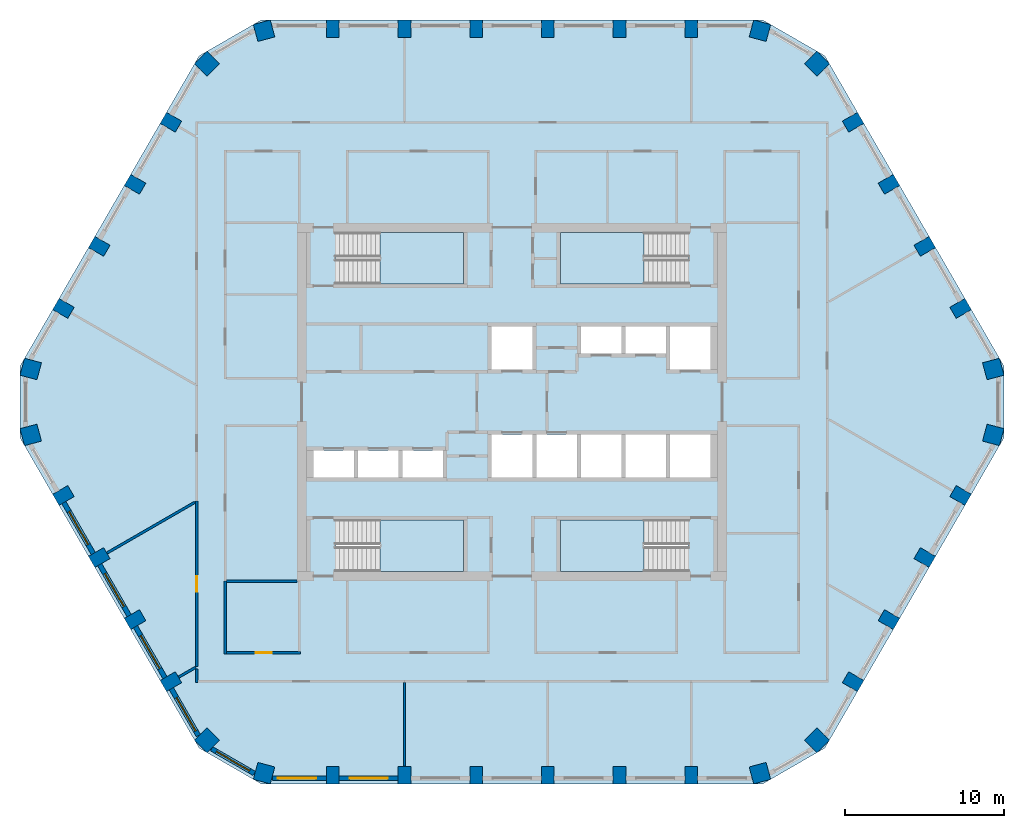
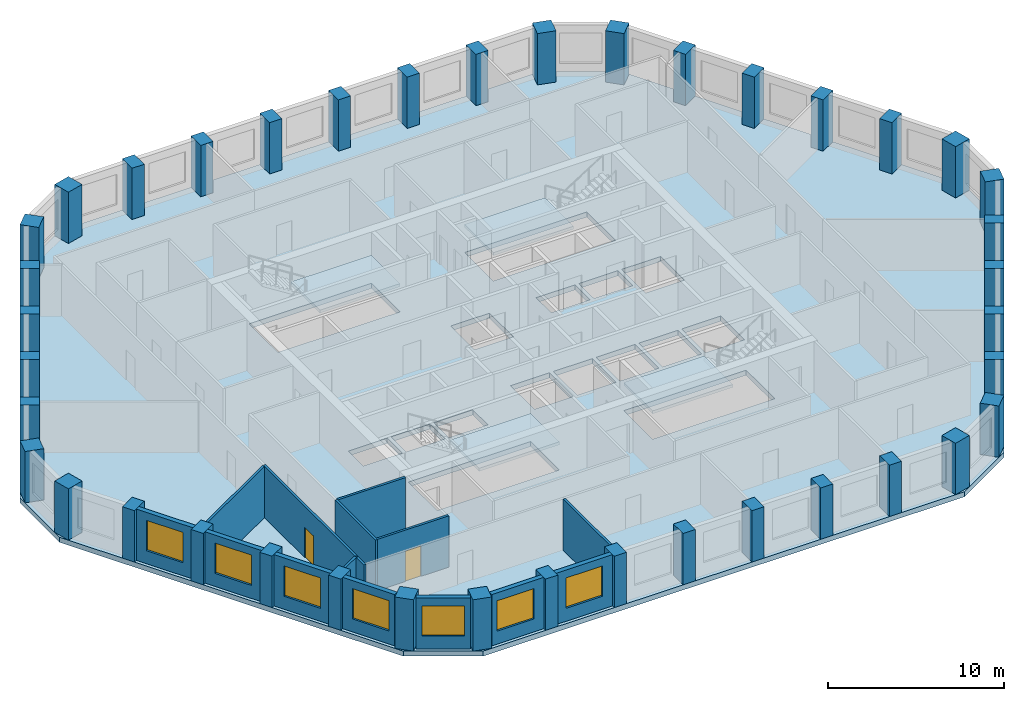
# One storey, part 1 of 9: 40 columns, 15 walls, 7 windows, 5 slabs, 2 doors, 9 openings, 4 elements without a shape of their own.
"""IFC4 building model written with IfcOpenShell, lengths in metres."""

from ifc_helpers import new_model, si_unit, direction, frame, frame_2d, origin, origin_2d, place, context, subcontext, project, spatial, polyline, rectangle, outline, extrude, material, layer, layer_set, material_profile, profile_set, type_object, element, fill, aggregate, save


model = new_model("IFC4")

# Units and contexts
model_context = context("Model", 3, precision=1e-05, world=origin(), true_north=direction((0.0, 1.0)))
body_context = subcontext(model_context, "Body", "Model", "MODEL_VIEW")
ifc_project = project(units=[si_unit("LENGTHUNIT", "METRE"), si_unit("AREAUNIT", "SQUARE_METRE"), si_unit("VOLUMEUNIT", "CUBIC_METRE"), si_unit("PLANEANGLEUNIT", "RADIAN"), si_unit("MASSUNIT", "GRAM", prefix="KILO")], contexts=[model_context])

# Site, building, storey
site_placement = place(None, origin())
site = spatial("IfcSite", under=ifc_project, at=site_placement, CompositionType="ELEMENT")
building_placement = place(site_placement, origin())
building = spatial("IfcBuilding", under=site, at=building_placement, Name="Dhurran Vertical Campus", CompositionType="ELEMENT")
storey_placement = place(building_placement, frame((0.0, 0.0, 199.5)))
storey = spatial("IfcBuildingStorey", under=building, at=storey_placement, Name="L49", CompositionType="ELEMENT", Elevation=199.5)

# Columns
ifc_material_1 = material(Name="Concrete C50/60", Category="concrete")
ifc_material_profile_1 = material_profile(ifc_material_1, rectangle(XDim=1.10009765625, YDim=1.10009765625, at=origin_2d()), Name="RC 1100x1100")
ifc_profile_set_1 = profile_set([ifc_material_profile_1], Name="Concrete C50/60")
column_type_1 = type_object("IfcColumnType", Name="FR COL RC 1100x1100 C50/60", PredefinedType="COLUMN", material=ifc_profile_set_1)
for number, where, z_axis, x_axis, name in (
    (1, (-15.569580078125, -23.31201171875, 0.0), (0.0, 0.0, 1.0), (0.965925826289, -0.258819045103, 0.0), "Perimeter pier PP4.00"),
    (2, (15.569580078125, -23.31201171875, 0.0), (0.0, 0.0, 1.0), (0.965925826289, 0.258819045103, 0.0), "Perimeter pier PP4.07"),
    (3, (19.154052734375, -21.242431640625, 0.0), (0.0, 0.0, 1.0), (0.707106781187, 0.707106781187, 0.0), "Perimeter pier PP4.08"),
    (4, (30.223388671875, -2.069580078125, 0.0), (0.0, 0.0, 1.0), (0.258819045103, 0.965925826289, 0.0), "Perimeter pier PP4.13"),
    (5, (30.223388671875, 2.069580078125, 0.0), (0.0, 0.0, 1.0), (-0.258819045103, 0.965925826289, 0.0), "Perimeter pier PP4.14"),
    (6, (19.154052734375, 21.242431640625, 0.0), (0.0, 0.0, 1.0), (-0.707106781187, 0.707106781187, 0.0), "Perimeter pier PP4.19"),
    (7, (15.569580078125, 23.31201171875, 0.0), (0.0, 0.0, 1.0), (-0.965925826289, 0.258819045103, 0.0), "Perimeter pier PP4.20"),
    (8, (-15.569580078125, 23.31201171875, 0.0), (0.0, 0.0, 1.0), (-0.965925826289, -0.258819045103, 0.0), "Perimeter pier PP4.27"),
    (9, (-19.154052734375, 21.242431640625, 0.0), (0.0, 0.0, 1.0), (-0.707106781187, -0.707106781187, 0.0), "Perimeter pier PP4.28"),
    (10, (-30.223388671875, 2.069580078125, 0.0), (0.0, 0.0, 1.0), (-0.258819045103, -0.965925826289, 0.0), "Perimeter pier PP4.33"),
    (11, (-30.223388671875, -2.069580078125, 0.0), (0.0, 0.0, 1.0), (0.258819045103, -0.965925826289, 0.0), "Perimeter pier PP4.34"),
    (12, (-19.154052734375, -21.242431640625, 0.0), (0.0, 0.0, 1.0), (0.707106781187, -0.707106781187, 0.0), "Perimeter pier PP4.39"),
):
    element("IfcColumn", number, at=place(storey_placement, frame(where, z_axis=z_axis, x_axis=x_axis)), inside=storey, type_object=column_type_1, Name=name, PredefinedType="COLUMN", context=body_context, shape_type="SweptSolid", body=[
        extrude(rectangle(XDim=1.10009765625, YDim=1.10009765625, at=origin_2d()), origin(), (0.0, 0.0, 1.0), 3.550048828125),
    ])
ifc_material_2 = material(Name="Concrete C50/60", Category="concrete")
ifc_material_profile_2 = material_profile(ifc_material_2, rectangle(XDim=0.800048828125, YDim=1.10009765625, at=origin_2d()), Name="RC 800x1100")
ifc_profile_set_2 = profile_set([ifc_material_profile_2], Name="Concrete C50/60")
column_type_2 = type_object("IfcColumnType", Name="FR COL RC 800x1100 C50/60", PredefinedType="COLUMN", material=ifc_profile_set_2)
for number, where, z_axis, x_axis, name in (
    (13, (-11.25, -23.435546875, 0.0), (0.0, 0.0, 1.0), (1.0, 0.0, 0.0), "Perimeter pier PP4.01"),
    (14, (-6.75, -23.435546875, 0.0), (0.0, 0.0, 1.0), (1.0, 0.0, 0.0), "Perimeter pier PP4.02"),
    (15, (-2.25, -23.435546875, 0.0), (0.0, 0.0, 1.0), (1.0, 0.0, 0.0), "Perimeter pier PP4.03"),
    (16, (2.25, -23.435546875, 0.0), (0.0, 0.0, 1.0), (1.0, 0.0, 0.0), "Perimeter pier PP4.04"),
    (17, (6.75, -23.435546875, 0.0), (0.0, 0.0, 1.0), (1.0, 0.0, 0.0), "Perimeter pier PP4.05"),
    (18, (11.25, -23.435546875, 0.0), (0.0, 0.0, 1.0), (1.0, 0.0, 0.0), "Perimeter pier PP4.06"),
    (19, (21.4208984375, -17.5634765625, 0.0), (0.0, 0.0, 1.0), (0.5, 0.866025403784, 0.0), "Perimeter pier PP4.09"),
    (20, (23.6708984375, -13.666259765625, 0.0), (0.0, 0.0, 1.0), (0.5, 0.866025403784, 0.0), "Perimeter pier PP4.10"),
    (21, (25.9208984375, -9.769287109375, 0.0), (0.0, 0.0, 1.0), (0.5, 0.866025403784, 0.0), "Perimeter pier PP4.11"),
    (22, (28.1708984375, -5.8720703125, 0.0), (0.0, 0.0, 1.0), (0.5, 0.866025403784, 0.0), "Perimeter pier PP4.12"),
    (23, (28.1708984375, 5.8720703125, 0.0), (0.0, 0.0, 1.0), (-0.5, 0.866025403784, 0.0), "Perimeter pier PP4.15"),
    (24, (25.9208984375, 9.769287109375, 0.0), (0.0, 0.0, 1.0), (-0.5, 0.866025403784, 0.0), "Perimeter pier PP4.16"),
    (25, (23.6708984375, 13.666259765625, 0.0), (0.0, 0.0, 1.0), (-0.5, 0.866025403784, 0.0), "Perimeter pier PP4.17"),
    (26, (21.4208984375, 17.5634765625, 0.0), (0.0, 0.0, 1.0), (-0.5, 0.866025403784, 0.0), "Perimeter pier PP4.18"),
    (27, (11.25, 23.435546875, 0.0), (0.0, 0.0, 1.0), (-1.0, 0.0, 0.0), "Perimeter pier PP4.21"),
    (28, (6.75, 23.435546875, 0.0), (0.0, 0.0, 1.0), (-1.0, 0.0, 0.0), "Perimeter pier PP4.22"),
    (29, (2.25, 23.435546875, 0.0), (0.0, 0.0, 1.0), (-1.0, 0.0, 0.0), "Perimeter pier PP4.23"),
    (30, (-2.25, 23.435546875, 0.0), (0.0, 0.0, 1.0), (-1.0, 0.0, 0.0), "Perimeter pier PP4.24"),
    (31, (-6.75, 23.435546875, 0.0), (0.0, 0.0, 1.0), (-1.0, 0.0, 0.0), "Perimeter pier PP4.25"),
    (32, (-11.25, 23.435546875, 0.0), (0.0, 0.0, 1.0), (-1.0, 0.0, 0.0), "Perimeter pier PP4.26"),
    (33, (-21.4208984375, 17.5634765625, 0.0), (0.0, 0.0, 1.0), (-0.5, -0.866025403784, 0.0), "Perimeter pier PP4.29"),
    (34, (-23.6708984375, 13.666259765625, 0.0), (0.0, 0.0, 1.0), (-0.5, -0.866025403784, 0.0), "Perimeter pier PP4.30"),
    (35, (-25.9208984375, 9.769287109375, 0.0), (0.0, 0.0, 1.0), (-0.5, -0.866025403784, 0.0), "Perimeter pier PP4.31"),
    (36, (-28.1708984375, 5.8720703125, 0.0), (0.0, 0.0, 1.0), (-0.5, -0.866025403784, 0.0), "Perimeter pier PP4.32"),
    (37, (-28.1708984375, -5.8720703125, 0.0), (0.0, 0.0, 1.0), (0.5, -0.866025403784, 0.0), "Perimeter pier PP4.35"),
    (38, (-25.9208984375, -9.769287109375, 0.0), (0.0, 0.0, 1.0), (0.5, -0.866025403784, 0.0), "Perimeter pier PP4.36"),
    (39, (-23.6708984375, -13.666259765625, 0.0), (0.0, 0.0, 1.0), (0.5, -0.866025403784, 0.0), "Perimeter pier PP4.37"),
    (40, (-21.4208984375, -17.5634765625, 0.0), (0.0, 0.0, 1.0), (0.5, -0.866025403784, 0.0), "Perimeter pier PP4.38"),
):
    element("IfcColumn", number, at=place(storey_placement, frame(where, z_axis=z_axis, x_axis=x_axis)), inside=storey, type_object=column_type_2, Name=name, PredefinedType="COLUMN", context=body_context, shape_type="SweptSolid", body=[
        extrude(rectangle(XDim=0.800048828125, YDim=1.10009765625, at=origin_2d()), origin(), (0.0, 0.0, 1.0), 3.550048828125),
    ])

# Slab
ifc_material_3 = material(Name="Concrete C40/50", Category="concrete")
ifc_layer_1 = layer(ifc_material_3, 0.35009765625)
ifc_layer_set_1 = layer_set([ifc_layer_1], Name="Concrete C40/50")
slab_type_1 = type_object("IfcSlabType", Name="FR POST-TENSIONED FLAT SLAB 350", PredefinedType="FLOOR", material=ifc_layer_set_1)
slab_1_placement = place(storey_placement, frame((0.0, 0.0, -0.35009765625)))
element("IfcSlab", 41, at=slab_1_placement, inside=storey, type_object=slab_type_1, Name="Floor slab L49", PredefinedType="FLOOR", context=body_context, shape_type="SweptSolid", body=[
    extrude(outline(polyline([(-15.75, -23.985595703125), (15.75, -23.985595703125), (19.647216796875, -21.735595703125), (30.897216796875, -2.25), (30.897216796875, 2.25), (19.647216796875, 21.735595703125), (15.75, 23.985595703125), (-15.75, 23.985595703125), (-19.647216796875, 21.735595703125), (-30.897216796875, 2.25), (-30.897216796875, -2.25), (-19.647216796875, -21.735595703125), (-15.75, -23.985595703125)]), holes=[polyline([(-1.27490234375, 2.050048828125), (1.27490234375, 2.050048828125), (1.27490234375, 4.75), (-1.27490234375, 4.75), (-1.27490234375, 2.050048828125)]), polyline([(9.925048828125, 2.050048828125), (12.47509765625, 2.050048828125), (12.47509765625, 4.75), (9.925048828125, 4.75), (9.925048828125, 2.050048828125)]), polyline([(-1.27490234375, -4.75), (1.27490234375, -4.75), (1.27490234375, -2.050048828125), (-1.27490234375, -2.050048828125), (-1.27490234375, -4.75)]), polyline([(1.52490234375, -4.75), (4.074951171875, -4.75), (4.074951171875, -2.050048828125), (1.52490234375, -2.050048828125), (1.52490234375, -4.75)]), polyline([(4.324951171875, -4.75), (6.875, -4.75), (6.875, -2.050048828125), (4.324951171875, -2.050048828125), (4.324951171875, -4.75)]), polyline([(7.125, -4.75), (9.675048828125, -4.75), (9.675048828125, -2.050048828125), (7.125, -2.050048828125), (7.125, -4.75)]), polyline([(9.925048828125, -4.75), (12.47509765625, -4.75), (12.47509765625, -2.050048828125), (9.925048828125, -2.050048828125), (9.925048828125, -4.75)]), polyline([(4.324951171875, 3.050048828125), (6.875, 3.050048828125), (6.875, 4.75), (4.324951171875, 4.75), (4.324951171875, 3.050048828125)]), polyline([(7.125, 3.050048828125), (9.675048828125, 3.050048828125), (9.675048828125, 4.75), (7.125, 4.75), (7.125, 3.050048828125)]), polyline([(-12.47509765625, -4.75), (-9.925048828125, -4.75), (-9.925048828125, -3.050048828125), (-12.47509765625, -3.050048828125), (-12.47509765625, -4.75)]), polyline([(-9.675048828125, -4.75), (-7.125, -4.75), (-7.125, -3.050048828125), (-9.675048828125, -3.050048828125), (-9.675048828125, -4.75)]), polyline([(-6.875, -4.75), (-4.324951171875, -4.75), (-4.324951171875, -3.050048828125), (-6.875, -3.050048828125), (-6.875, -4.75)]), polyline([(-11.050048828125, 7.39990234375), (-3.050048828125, 7.39990234375), (-3.050048828125, 10.64990234375), (-11.050048828125, 10.64990234375), (-11.050048828125, 7.39990234375)]), polyline([(3.050048828125, 7.39990234375), (11.050048828125, 7.39990234375), (11.050048828125, 10.64990234375), (3.050048828125, 10.64990234375), (3.050048828125, 7.39990234375)]), polyline([(-11.050048828125, -10.64990234375), (-3.050048828125, -10.64990234375), (-3.050048828125, -7.39990234375), (-11.050048828125, -7.39990234375), (-11.050048828125, -10.64990234375)]), polyline([(3.050048828125, -10.64990234375), (11.050048828125, -10.64990234375), (11.050048828125, -7.39990234375), (3.050048828125, -7.39990234375), (3.050048828125, -10.64990234375)])]), origin(), (0.0, 0.0, 1.0), 0.35009765625),
])

# Stair, slab
ifc_material_4 = material(Name="Concrete C40/50", Category="concrete")
stair_type = type_object("IfcStairType", Name="co-ST-CORE", PredefinedType="HALF_TURN_STAIR", material=ifc_material_4)
stair_1_placement = place(storey_placement, origin())
stair_1 = element("IfcStair", 42, at=stair_1_placement, inside=storey, type_object=stair_type, Name="L49 Protected exit stair ST1", PredefinedType="HALF_TURN_STAIR")
ifc_material_5 = material(Name="Concrete C40/50", Category="concrete")
ifc_layer_2 = layer(ifc_material_5, 0.199951171875)
ifc_layer_set_2 = layer_set([ifc_layer_2], Name="Concrete C40/50")
slab_type_2 = type_object("IfcSlabType", Name="co-SL-LANDING", PredefinedType="LANDING", material=ifc_layer_set_2)
slab_2_placement = place(storey_placement, frame((0.0, 0.0, 1.75)))
slab_2 = element("IfcSlab", 43, at=slab_2_placement, type_object=slab_type_2, Name="ST1 landing 1", PredefinedType="LANDING", context=body_context, shape_type="SweptSolid", body=[
    extrude(outline(polyline([(-8.300048828125, 7.39990234375), (-3.050048828125, 7.39990234375), (-3.050048828125, 10.64990234375), (-8.300048828125, 10.64990234375), (-8.300048828125, 7.39990234375)])), origin(), (0.0, 0.0, 1.0), 0.199951171875),
])
aggregate(stair_1, [slab_2])

stair_2_placement = place(storey_placement, origin())
stair_2 = element("IfcStair", 44, at=stair_2_placement, inside=storey, type_object=stair_type, Name="L49 Protected exit stair ST2", PredefinedType="HALF_TURN_STAIR")
slab_3_placement = place(storey_placement, frame((0.0, 0.0, 1.75)))
slab_3 = element("IfcSlab", 45, at=slab_3_placement, type_object=slab_type_2, Name="ST2 landing 1", PredefinedType="LANDING", context=body_context, shape_type="SweptSolid", body=[
    extrude(outline(polyline([(8.300048828125, 10.64990234375), (3.050048828125, 10.64990234375), (3.050048828125, 7.39990234375), (8.300048828125, 7.39990234375), (8.300048828125, 10.64990234375)])), origin(), (0.0, 0.0, 1.0), 0.199951171875),
])
aggregate(stair_2, [slab_3])

stair_3_placement = place(storey_placement, origin())
stair_3 = element("IfcStair", 46, at=stair_3_placement, inside=storey, type_object=stair_type, Name="L49 Protected exit stair ST3", PredefinedType="HALF_TURN_STAIR")
slab_4_placement = place(storey_placement, frame((0.0, 0.0, 1.75)))
slab_4 = element("IfcSlab", 47, at=slab_4_placement, type_object=slab_type_2, Name="ST3 landing 1", PredefinedType="LANDING", context=body_context, shape_type="SweptSolid", body=[
    extrude(outline(polyline([(-8.300048828125, -10.64990234375), (-3.050048828125, -10.64990234375), (-3.050048828125, -7.39990234375), (-8.300048828125, -7.39990234375), (-8.300048828125, -10.64990234375)])), origin(), (0.0, 0.0, 1.0), 0.199951171875),
])
aggregate(stair_3, [slab_4])

stair_4_placement = place(storey_placement, origin())
stair_4 = element("IfcStair", 48, at=stair_4_placement, inside=storey, type_object=stair_type, Name="L49 Protected exit stair ST4", PredefinedType="HALF_TURN_STAIR")
slab_5_placement = place(storey_placement, frame((0.0, 0.0, 1.75)))
slab_5 = element("IfcSlab", 49, at=slab_5_placement, type_object=slab_type_2, Name="ST4 landing 1", PredefinedType="LANDING", context=body_context, shape_type="SweptSolid", body=[
    extrude(outline(polyline([(8.300048828125, -7.39990234375), (3.050048828125, -7.39990234375), (3.050048828125, -10.64990234375), (8.300048828125, -10.64990234375), (8.300048828125, -7.39990234375)])), origin(), (0.0, 0.0, 1.0), 0.199951171875),
])
aggregate(stair_4, [slab_5])

# Wall, opening, window
ifc_material_6 = material(Name="Precast concrete C50/60", Category="concrete")
ifc_layer_3 = layer(ifc_material_6, 0.300048828125)
ifc_layer_set_3 = layer_set([ifc_layer_3], Name="Precast concrete C50/60")
wall_type_1 = type_object("IfcWallType", Name="Precast spandrel wall 300", PredefinedType="SOLIDWALL", material=ifc_layer_set_3)
wall_1_placement = place(storey_placement, frame((-15.04638671875, -23.635498046875, 0.0), z_axis=(0.0, 0.0, 1.0), x_axis=(1.0, 0.0, 0.0)))
wall_1 = element("IfcWall", 50, at=wall_1_placement, inside=storey, type_object=wall_type_1, Name="EW1 L49.00", PredefinedType="SOLIDWALL", context=body_context, shape_type="SweptSolid", body=[
    extrude(rectangle(XDim=3.39599609375, YDim=0.300048828125, at=frame_2d((1.697998046875, 0.0))), origin(), (0.0, 0.0, 1.0), 3.550048828125),
])
opening_1_placement = place(wall_1_placement, frame((0.34619140625, 0.0, 0.89990234375)))
opening_1 = element("IfcOpeningElement", 51, at=opening_1_placement, cuts=wall_1, Name="Opening WT1", PredefinedType="OPENING", context=body_context, shape_type="SweptSolid", body=[
    extrude(rectangle(XDim=2.39990234375, YDim=2.10009765625, at=frame_2d((1.199951171875, 1.050048828125))), frame((0.0, 0.159912109375, 0.0), z_axis=(0.0, -1.0, 0.0), x_axis=(1.0, 0.0, 0.0)), (0.0, 0.0, 1.0), 0.320068359375),
])
ifc_material_7 = material(Name="Aluminium frame with solar-control glass", Category="aluminium")
window_type = type_object("IfcWindowType", Name="Punched window 2400 x 2100", PartitioningType="SINGLE_PANEL", PredefinedType="WINDOW", material=ifc_material_7)
window_1_placement = place(opening_1_placement, origin())
window_1 = element("IfcWindow", 52, at=window_1_placement, inside=storey, type_object=window_type, Name="WT1 L49.00", OverallHeight=2.10009765625, OverallWidth=2.39990234375, PartitioningType="SINGLE_PANEL", PredefinedType="WINDOW", context=body_context, shape_type="SweptSolid", body=[
    extrude(rectangle(XDim=2.39990234375, YDim=2.10009765625, at=frame_2d((1.199951171875, 1.050048828125))), frame((0.0, 0.030029296875, 0.0), z_axis=(0.0, -1.0, 0.0), x_axis=(1.0, 0.0, 0.0)), (0.0, 0.0, 1.0), 0.06005859375),
])
fill(opening_1, window_1)

wall_2_placement = place(storey_placement, frame((-10.849609375, -23.635498046875, 0.0), z_axis=(0.0, 0.0, 1.0), x_axis=(1.0, 0.0, 0.0)))
wall_2 = element("IfcWall", 53, at=wall_2_placement, inside=storey, type_object=wall_type_1, Name="EW1 L49.01", PredefinedType="SOLIDWALL", context=body_context, shape_type="SweptSolid", body=[
    extrude(rectangle(XDim=3.69921875, YDim=0.300048828125, at=frame_2d((1.849609375, 0.0))), origin(), (0.0, 0.0, 1.0), 3.550048828125),
])
opening_2_placement = place(wall_2_placement, frame((0.6494140625, 0.0, 0.89990234375)))
opening_2 = element("IfcOpeningElement", 54, at=opening_2_placement, cuts=wall_2, Name="Opening WT1", PredefinedType="OPENING", context=body_context, shape_type="SweptSolid", body=[
    extrude(rectangle(XDim=2.39990234375, YDim=2.10009765625, at=frame_2d((1.199951171875, 1.050048828125))), frame((0.0, 0.159912109375, 0.0), z_axis=(0.0, -1.0, 0.0), x_axis=(1.0, 0.0, 0.0)), (0.0, 0.0, 1.0), 0.320068359375),
])
window_2_placement = place(opening_2_placement, origin())
window_2 = element("IfcWindow", 55, at=window_2_placement, inside=storey, type_object=window_type, Name="WT1 L49.01", OverallHeight=2.10009765625, OverallWidth=2.39990234375, PartitioningType="SINGLE_PANEL", PredefinedType="WINDOW", context=body_context, shape_type="SweptSolid", body=[
    extrude(rectangle(XDim=2.39990234375, YDim=2.10009765625, at=frame_2d((1.199951171875, 1.050048828125))), frame((0.0, 0.030029296875, 0.0), z_axis=(0.0, -1.0, 0.0), x_axis=(1.0, 0.0, 0.0)), (0.0, 0.0, 1.0), 0.06005859375),
])
fill(opening_2, window_2)

wall_3_placement = place(storey_placement, frame((-28.143798828125, -6.319091796875, 0.0), z_axis=(0.0, 0.0, 1.0), x_axis=(0.500029062817, -0.866008623709, 0.0)))
wall_3 = element("IfcWall", 56, at=wall_3_placement, inside=storey, type_object=wall_type_1, Name="EW1 L49.35", PredefinedType="SOLIDWALL", context=body_context, shape_type="SweptSolid", body=[
    extrude(rectangle(XDim=3.698974609375, YDim=0.300048828125, at=frame_2d((1.849609375, 0.0))), origin(), (0.0, 0.0, 1.0), 3.550048828125),
])
opening_3_placement = place(wall_3_placement, frame((0.6494140625, 0.0, 0.89990234375)))
opening_3 = element("IfcOpeningElement", 57, at=opening_3_placement, cuts=wall_3, Name="Opening WT1", PredefinedType="OPENING", context=body_context, shape_type="SweptSolid", body=[
    extrude(rectangle(XDim=2.39990234375, YDim=2.10009765625, at=frame_2d((1.199951171875, 1.050048828125))), frame((0.0, 0.159912109375, 0.0), z_axis=(0.0, -1.0, 0.0), x_axis=(1.0, 0.0, 0.0)), (0.0, 0.0, 1.0), 0.320068359375),
])
window_3_placement = place(opening_3_placement, origin())
window_3 = element("IfcWindow", 58, at=window_3_placement, inside=storey, type_object=window_type, Name="WT1 L49.35", OverallHeight=2.10009765625, OverallWidth=2.39990234375, PartitioningType="SINGLE_PANEL", PredefinedType="WINDOW", context=body_context, shape_type="SweptSolid", body=[
    extrude(rectangle(XDim=2.39990234375, YDim=2.10009765625, at=frame_2d((1.199951171875, 1.050048828125))), frame((0.0, 0.030029296875, 0.0), z_axis=(0.0, -1.0, 0.0), x_axis=(1.0, 0.0, 0.0)), (0.0, 0.0, 1.0), 0.06005859375),
])
fill(opening_3, window_3)

wall_4_placement = place(storey_placement, frame((-25.893798828125, -10.216064453125, 0.0), z_axis=(0.0, 0.0, 1.0), x_axis=(0.500029062817, -0.866008623709, 0.0)))
wall_4 = element("IfcWall", 59, at=wall_4_placement, inside=storey, type_object=wall_type_1, Name="EW1 L49.36", PredefinedType="SOLIDWALL", context=body_context, shape_type="SweptSolid", body=[
    extrude(rectangle(XDim=3.698974609375, YDim=0.300048828125, at=frame_2d((1.849609375, 0.0))), origin(), (0.0, 0.0, 1.0), 3.550048828125),
])
opening_4_placement = place(wall_4_placement, frame((0.6494140625, 0.0, 0.89990234375)))
opening_4 = element("IfcOpeningElement", 60, at=opening_4_placement, cuts=wall_4, Name="Opening WT1", PredefinedType="OPENING", context=body_context, shape_type="SweptSolid", body=[
    extrude(rectangle(XDim=2.39990234375, YDim=2.10009765625, at=frame_2d((1.199951171875, 1.050048828125))), frame((0.0, 0.159912109375, 0.0), z_axis=(0.0, -1.0, 0.0), x_axis=(1.0, 0.0, 0.0)), (0.0, 0.0, 1.0), 0.320068359375),
])
window_4_placement = place(opening_4_placement, origin())
window_4 = element("IfcWindow", 61, at=window_4_placement, inside=storey, type_object=window_type, Name="WT1 L49.36", OverallHeight=2.10009765625, OverallWidth=2.39990234375, PartitioningType="SINGLE_PANEL", PredefinedType="WINDOW", context=body_context, shape_type="SweptSolid", body=[
    extrude(rectangle(XDim=2.39990234375, YDim=2.10009765625, at=frame_2d((1.199951171875, 1.050048828125))), frame((0.0, 0.030029296875, 0.0), z_axis=(0.0, -1.0, 0.0), x_axis=(1.0, 0.0, 0.0)), (0.0, 0.0, 1.0), 0.06005859375),
])
fill(opening_4, window_4)

wall_5_placement = place(storey_placement, frame((-23.643798828125, -14.11328125, 0.0), z_axis=(0.0, 0.0, 1.0), x_axis=(0.500029062817, -0.866008623709, 0.0)))
wall_5 = element("IfcWall", 62, at=wall_5_placement, inside=storey, type_object=wall_type_1, Name="EW1 L49.37", PredefinedType="SOLIDWALL", context=body_context, shape_type="SweptSolid", body=[
    extrude(rectangle(XDim=3.698974609375, YDim=0.300048828125, at=frame_2d((1.849609375, 0.0))), origin(), (0.0, 0.0, 1.0), 3.550048828125),
])
opening_5_placement = place(wall_5_placement, frame((0.6494140625, 0.0, 0.89990234375)))
opening_5 = element("IfcOpeningElement", 63, at=opening_5_placement, cuts=wall_5, Name="Opening WT1", PredefinedType="OPENING", context=body_context, shape_type="SweptSolid", body=[
    extrude(rectangle(XDim=2.39990234375, YDim=2.10009765625, at=frame_2d((1.199951171875, 1.050048828125))), frame((0.0, 0.159912109375, 0.0), z_axis=(0.0, -1.0, 0.0), x_axis=(1.0, 0.0, 0.0)), (0.0, 0.0, 1.0), 0.320068359375),
])
window_5_placement = place(opening_5_placement, origin())
window_5 = element("IfcWindow", 64, at=window_5_placement, inside=storey, type_object=window_type, Name="WT1 L49.37", OverallHeight=2.10009765625, OverallWidth=2.39990234375, PartitioningType="SINGLE_PANEL", PredefinedType="WINDOW", context=body_context, shape_type="SweptSolid", body=[
    extrude(rectangle(XDim=2.39990234375, YDim=2.10009765625, at=frame_2d((1.199951171875, 1.050048828125))), frame((0.0, 0.030029296875, 0.0), z_axis=(0.0, -1.0, 0.0), x_axis=(1.0, 0.0, 0.0)), (0.0, 0.0, 1.0), 0.06005859375),
])
fill(opening_5, window_5)

wall_6_placement = place(storey_placement, frame((-21.393798828125, -18.01025390625, 0.0), z_axis=(0.0, 0.0, 1.0), x_axis=(0.500012868213, -0.866017974191, 0.0)))
wall_6 = element("IfcWall", 65, at=wall_6_placement, inside=storey, type_object=wall_type_1, Name="EW1 L49.38", PredefinedType="SOLIDWALL", context=body_context, shape_type="SweptSolid", body=[
    extrude(rectangle(XDim=3.39599609375, YDim=0.300048828125, at=frame_2d((1.697998046875, 0.0))), origin(), (0.0, 0.0, 1.0), 3.550048828125),
])
opening_6_placement = place(wall_6_placement, frame((0.6494140625, 0.0, 0.89990234375)))
opening_6 = element("IfcOpeningElement", 66, at=opening_6_placement, cuts=wall_6, Name="Opening WT1", PredefinedType="OPENING", context=body_context, shape_type="SweptSolid", body=[
    extrude(rectangle(XDim=2.39990234375, YDim=2.10009765625, at=frame_2d((1.199951171875, 1.050048828125))), frame((0.0, 0.159912109375, 0.0), z_axis=(0.0, -1.0, 0.0), x_axis=(1.0, 0.0, 0.0)), (0.0, 0.0, 1.0), 0.320068359375),
])
window_6_placement = place(opening_6_placement, origin())
window_6 = element("IfcWindow", 67, at=window_6_placement, inside=storey, type_object=window_type, Name="WT1 L49.38", OverallHeight=2.10009765625, OverallWidth=2.39990234375, PartitioningType="SINGLE_PANEL", PredefinedType="WINDOW", context=body_context, shape_type="SweptSolid", body=[
    extrude(rectangle(XDim=2.39990234375, YDim=2.10009765625, at=frame_2d((1.199951171875, 1.050048828125))), frame((0.0, 0.030029296875, 0.0), z_axis=(0.0, -1.0, 0.0), x_axis=(1.0, 0.0, 0.0)), (0.0, 0.0, 1.0), 0.06005859375),
])
fill(opening_6, window_6)

wall_7_placement = place(storey_placement, frame((-18.86279296875, -21.7841796875, 0.0), z_axis=(0.0, 0.0, 1.0), x_axis=(0.865994975416, -0.500052699777, 0.0)))
wall_7 = element("IfcWall", 68, at=wall_7_placement, inside=storey, type_object=wall_type_1, Name="EW1 L49.39", PredefinedType="SOLIDWALL", context=body_context, shape_type="SweptSolid", body=[
    extrude(rectangle(XDim=3.093017578125, YDim=0.300048828125, at=frame_2d((1.54638671875, 0.0))), origin(), (0.0, 0.0, 1.0), 3.550048828125),
])
opening_7_placement = place(wall_7_placement, frame((0.34619140625, 0.0, 0.89990234375)))
opening_7 = element("IfcOpeningElement", 69, at=opening_7_placement, cuts=wall_7, Name="Opening WT1", PredefinedType="OPENING", context=body_context, shape_type="SweptSolid", body=[
    extrude(rectangle(XDim=2.39990234375, YDim=2.10009765625, at=frame_2d((1.199951171875, 1.050048828125))), frame((0.0, 0.159912109375, 0.0), z_axis=(0.0, -1.0, 0.0), x_axis=(1.0, 0.0, 0.0)), (0.0, 0.0, 1.0), 0.320068359375),
])
window_7_placement = place(opening_7_placement, origin())
window_7 = element("IfcWindow", 70, at=window_7_placement, inside=storey, type_object=window_type, Name="WT1 L49.39", OverallHeight=2.10009765625, OverallWidth=2.39990234375, PartitioningType="SINGLE_PANEL", PredefinedType="WINDOW", context=body_context, shape_type="SweptSolid", body=[
    extrude(rectangle(XDim=2.39990234375, YDim=2.10009765625, at=frame_2d((1.199951171875, 1.050048828125))), frame((0.0, 0.030029296875, 0.0), z_axis=(0.0, -1.0, 0.0), x_axis=(1.0, 0.0, 0.0)), (0.0, 0.0, 1.0), 0.06005859375),
])
fill(opening_7, window_7)

# Wall
ifc_material_8 = material(Name="Gypsum board corridor wall on steel studs", Category="steel")
ifc_layer_4 = layer(ifc_material_8, 0.14990234375)
ifc_layer_set_4 = layer_set([ifc_layer_4], Name="Gypsum board corridor wall on steel studs")
wall_type_2 = type_object("IfcWallType", Name="fl-CW-150 corridor wall", PredefinedType="PARTITIONING", material=ifc_layer_set_4)
wall_8_placement = place(storey_placement, frame((-19.800048828125, -16.758056640625, 0.0), z_axis=(0.0, 0.0, 1.0), x_axis=(0.0, -1.0, 0.0)))
element("IfcWall", 71, at=wall_8_placement, inside=storey, type_object=wall_type_2, Name="Partition 49-05", PredefinedType="PARTITIONING", context=body_context, shape_type="SweptSolid", body=[
    extrude(rectangle(XDim=0.866943359375, YDim=0.14990234375, at=frame_2d((0.43359375, 0.0))), origin(), (0.0, 0.0, 1.0), 3.550048828125),
])

# Wall, opening, door
wall_9_placement = place(storey_placement, frame((-19.800048828125, -6.235107421875, 0.0), z_axis=(0.0, 0.0, 1.0), x_axis=(0.0, -1.0, 0.0)))
wall_9 = element("IfcWall", 72, at=wall_9_placement, inside=storey, type_object=wall_type_2, Name="Partition 49-07", PredefinedType="PARTITIONING", context=body_context, shape_type="SweptSolid", body=[
    extrude(rectangle(XDim=10.392822265625, YDim=0.14990234375, at=frame_2d((5.1962890625, 0.0))), origin(), (0.0, 0.0, 1.0), 3.550048828125),
])
opening_8_placement = place(wall_9_placement, frame((4.696533203125, 0.0, 0.0)))
opening_8 = element("IfcOpeningElement", 73, at=opening_8_placement, cuts=wall_9, Name="Opening T14.03", PredefinedType="OPENING", context=body_context, shape_type="SweptSolid", body=[
    extrude(rectangle(XDim=1.0, YDim=2.10009765625, at=frame_2d((0.5, 1.050048828125))), frame((0.0, 0.0849609375, 0.0), z_axis=(0.0, -1.0, 0.0), x_axis=(1.0, 0.0, 0.0)), (0.0, 0.0, 1.0), 0.169921875),
])
ifc_material_9 = material(Name="Solid-core timber door set, fire-rated", Category="wood")
door_type = type_object("IfcDoorType", Name="fl-D-1000x2100", OperationType="SINGLE_SWING_LEFT", PredefinedType="DOOR", material=ifc_material_9)
door_1_placement = place(opening_8_placement, origin())
door_1 = element("IfcDoor", 74, at=door_1_placement, inside=storey, type_object=door_type, Name="Door 49.03", OperationType="SINGLE_SWING_LEFT", OverallHeight=2.10009765625, OverallWidth=1.0, PredefinedType="DOOR", context=body_context, shape_type="SweptSolid", body=[
    extrude(rectangle(XDim=1.0, YDim=2.10009765625, at=frame_2d((0.5, 1.050048828125))), frame((0.0, 0.02490234375, 0.0), z_axis=(0.0, -1.0, 0.0), x_axis=(1.0, 0.0, 0.0)), (0.0, 0.0, 1.0), 0.050048828125),
])
fill(opening_8, door_1)

# Wall
wall_10_placement = place(storey_placement, frame((-18.0, -15.824951171875, 0.0), z_axis=(0.0, 0.0, 1.0), x_axis=(0.0, 1.0, 0.0)))
element("IfcWall", 75, at=wall_10_placement, inside=storey, type_object=wall_type_2, Name="Partition 49-12", PredefinedType="PARTITIONING", context=body_context, shape_type="SweptSolid", body=[
    extrude(rectangle(XDim=4.574951171875, YDim=0.14990234375, at=frame_2d((2.28759765625, 0.0))), origin(), (0.0, 0.0, 1.0), 3.550048828125),
])

# Wall, opening, door
wall_11_placement = place(storey_placement, frame((-13.27490234375, -15.75, 0.0), z_axis=(0.0, 0.0, 1.0), x_axis=(-1.0, 0.0, 0.0)))
wall_11 = element("IfcWall", 76, at=wall_11_placement, inside=storey, type_object=wall_type_2, Name="Partition 49-13", PredefinedType="PARTITIONING", context=body_context, shape_type="SweptSolid", body=[
    extrude(rectangle(XDim=4.650146484375, YDim=0.14990234375, at=frame_2d((2.3251953125, 0.0))), origin(), (0.0, 0.0, 1.0), 3.550048828125),
])
opening_9_placement = place(wall_11_placement, frame((1.824951171875, 0.0, 0.0)))
opening_9 = element("IfcOpeningElement", 77, at=opening_9_placement, cuts=wall_11, Name="Opening T14.07", PredefinedType="OPENING", context=body_context, shape_type="SweptSolid", body=[
    extrude(rectangle(XDim=1.0, YDim=2.10009765625, at=frame_2d((0.5, 1.050048828125))), frame((0.0, 0.0849609375, 0.0), z_axis=(0.0, -1.0, 0.0), x_axis=(1.0, 0.0, 0.0)), (0.0, 0.0, 1.0), 0.169921875),
])
door_2_placement = place(opening_9_placement, origin())
door_2 = element("IfcDoor", 78, at=door_2_placement, inside=storey, type_object=door_type, Name="Door 49.07", OperationType="SINGLE_SWING_RIGHT", OverallHeight=2.10009765625, OverallWidth=1.0, PredefinedType="DOOR", context=body_context, shape_type="SweptSolid", body=[
    extrude(rectangle(XDim=1.0, YDim=2.10009765625, at=frame_2d((0.5, 1.050048828125))), frame((0.0, 0.02490234375, 0.0), z_axis=(0.0, -1.0, 0.0), x_axis=(1.0, 0.0, 0.0)), (0.0, 0.0, 1.0), 0.050048828125),
])
fill(opening_9, door_2)

# Walls
ifc_material_10 = material(Name="Gypsum board partition on steel studs", Category="steel")
ifc_layer_5 = layer(ifc_material_10, 0.14990234375)
ifc_layer_set_5 = layer_set([ifc_layer_5], Name="Gypsum board partition on steel studs")
wall_type_3 = type_object("IfcWallType", Name="fl-PW-150 fixed partition", PredefinedType="PARTITIONING", material=ifc_layer_set_5)
wall_12_placement = place(storey_placement, frame((-19.91259765625, -6.300048828125, 0.0), z_axis=(0.0, 0.0, 1.0), x_axis=(-0.866011921086, -0.500023351992, 0.0)))
element("IfcWall", 79, at=wall_12_placement, inside=storey, type_object=wall_type_3, Name="Partition 49-02", PredefinedType="PARTITIONING", context=body_context, shape_type="SweptSolid", body=[
    extrude(rectangle(XDim=6.367919921875, YDim=0.14990234375, at=frame_2d((3.18408203125, 0.0))), origin(), (0.0, 0.0, 1.0), 3.550048828125),
])
wall_13_placement = place(storey_placement, frame((-19.864990234375, -16.66552734375, 0.0), z_axis=(0.0, 0.0, 1.0), x_axis=(-0.866202157257, -0.499693728962, 0.0)))
element("IfcWall", 80, at=wall_13_placement, inside=storey, type_object=wall_type_3, Name="Partition 49-03", PredefinedType="PARTITIONING", context=body_context, shape_type="SweptSolid", body=[
    extrude(rectangle(XDim=1.226318359375, YDim=0.14990234375, at=frame_2d((0.61328125, 0.0))), origin(), (0.0, 0.0, 1.0), 3.550048828125),
])
wall_14_placement = place(storey_placement, frame((-13.5, -11.25, 0.0), z_axis=(0.0, 0.0, 1.0), x_axis=(-1.0, 0.0, 0.0)))
element("IfcWall", 81, at=wall_14_placement, inside=storey, type_object=wall_type_3, Name="Partition 49-15", PredefinedType="PARTITIONING", context=body_context, shape_type="SweptSolid", body=[
    extrude(rectangle(XDim=4.425048828125, YDim=0.14990234375, at=frame_2d((2.21240234375, 0.0))), origin(), (0.0, 0.0, 1.0), 3.550048828125),
])
wall_15_placement = place(storey_placement, frame((-6.75, -17.625, 0.0), z_axis=(0.0, 0.0, 1.0), x_axis=(0.0, -1.0, 0.0)))
element("IfcWall", 82, at=wall_15_placement, inside=storey, type_object=wall_type_3, Name="Partition 49-30", PredefinedType="PARTITIONING", context=body_context, shape_type="SweptSolid", body=[
    extrude(rectangle(XDim=5.240478515625, YDim=0.14990234375, at=frame_2d((2.6201171875, 0.0))), origin(), (0.0, 0.0, 1.0), 3.550048828125),
])

save(model, "model.ifc")
